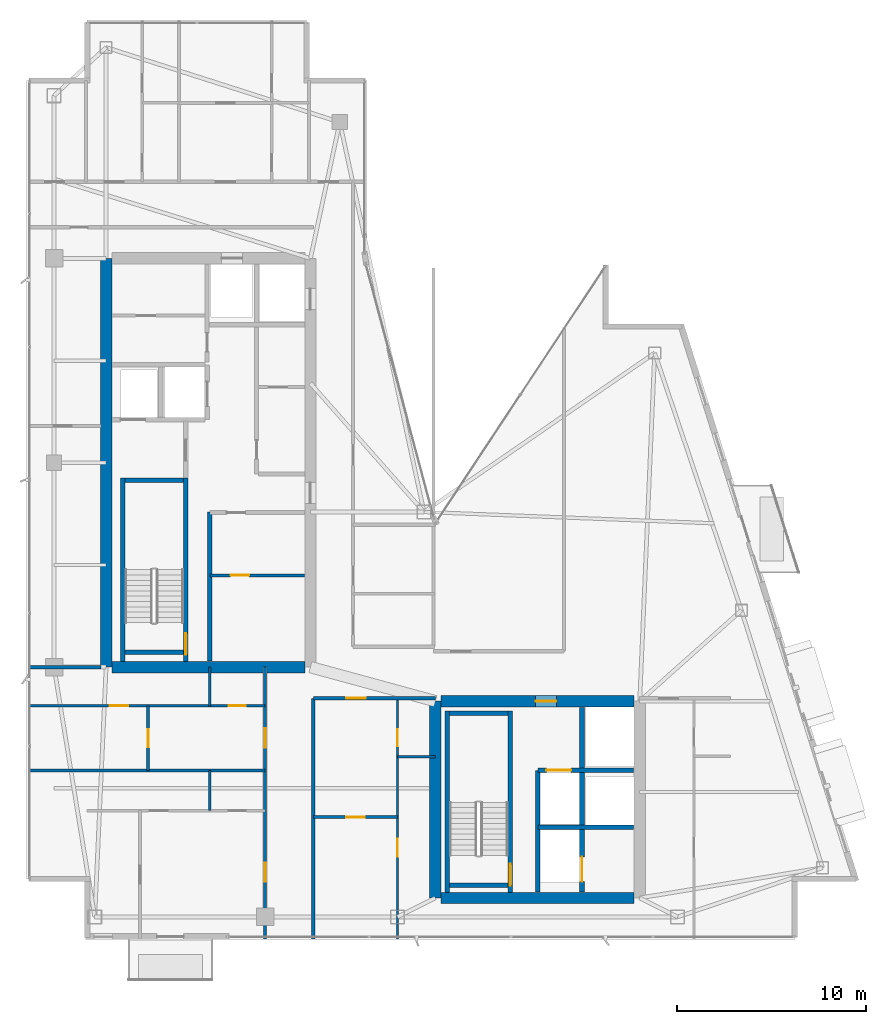
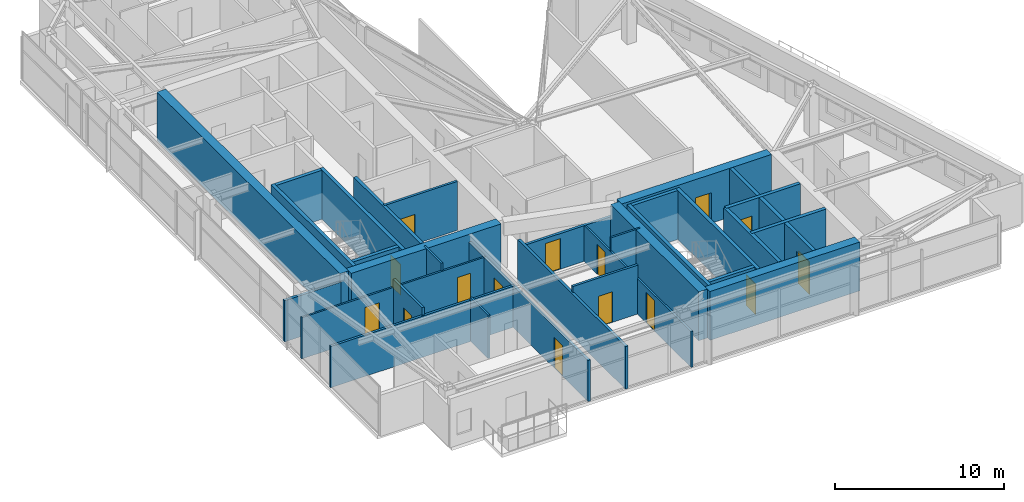
# One storey, part 22 of 27: 31 walls, 15 doors, 15 openings.
"""IFC4 building model written with IfcOpenShell, lengths in metres."""

from ifc_helpers import new_model, si_unit, direction, frame, frame_2d, origin, place, context, subcontext, project, spatial, rectangle, extrude, material, layer, layer_set, type_object, element, fill, save


model = new_model("IFC4")

# Units and contexts
model_context = context("Model", 3, precision=1e-05, world=origin(), true_north=direction((0.0, 1.0)))
body_context = subcontext(model_context, "Body", "Model", "MODEL_VIEW")
ifc_project = project(units=[si_unit("LENGTHUNIT", "METRE"), si_unit("AREAUNIT", "SQUARE_METRE"), si_unit("VOLUMEUNIT", "CUBIC_METRE"), si_unit("PLANEANGLEUNIT", "RADIAN"), si_unit("MASSUNIT", "GRAM", prefix="KILO")], contexts=[model_context])

# Site, building, storey
site_placement = place(None, origin())
site = spatial("IfcSite", under=ifc_project, at=site_placement, CompositionType="ELEMENT")
building_placement = place(site_placement, origin())
building = spatial("IfcBuilding", under=site, at=building_placement, Name="Calvorn Quay Hotel", CompositionType="ELEMENT")
storey_placement = place(building_placement, frame((0.0, 0.0, 278.699951171875)))
storey = spatial("IfcBuildingStorey", under=building, at=storey_placement, Name="L69", CompositionType="ELEMENT", Elevation=278.699951171875)

# Walls
ifc_material_1 = material(Name="Concrete C45", Category="concrete")
ifc_layer_1 = layer(ifc_material_1, 0.60009765625)
ifc_layer_set_1 = layer_set([ifc_layer_1], Name="WL-CORE-600")
wall_type_1 = type_object("IfcWallType", Name="WL-CORE-600", PredefinedType="SHEAR", material=ifc_layer_set_1)
wall_1_placement = place(storey_placement, frame((4.199951171875, 16.800048828125, 0.0), z_axis=(0.0, 0.0, 1.0), x_axis=(0.0, 1.0, 0.0)))
element("IfcWall", 1, at=wall_1_placement, inside=storey, type_object=wall_type_1, Name="West Core Shear Wall W (L69)", PredefinedType="SHEAR", context=body_context, shape_type="SweptSolid", body=[
    extrude(rectangle(XDim=21.599853515625, YDim=0.60009765625, at=frame_2d((10.7998046875, 0.0))), origin(), (0.0, 0.0, 1.0), 3.52001953125),
])
wall_2_placement = place(storey_placement, frame((4.5, 16.800048828125, 0.0), z_axis=(0.0, 0.0, 1.0), x_axis=(1.0, 0.0, 0.0)))
element("IfcWall", 2, at=wall_2_placement, inside=storey, type_object=wall_type_1, Name="West Core Shear Wall S (L69)", PredefinedType="SHEAR", context=body_context, shape_type="SweptSolid", body=[
    extrude(rectangle(XDim=10.199951171875, YDim=0.60009765625, at=frame_2d((5.10009765625, 0.0))), origin(), (0.0, 0.0, 1.0), 3.52001953125),
])
wall_3_placement = place(storey_placement, frame((21.60009765625, 4.60009765625, 0.0), z_axis=(0.0, 0.0, 1.0), x_axis=(0.0, 1.0, 0.0)))
element("IfcWall", 3, at=wall_3_placement, inside=storey, type_object=wall_type_1, Name="East Core Shear Wall W (L69)", PredefinedType="SHEAR", context=body_context, shape_type="SweptSolid", body=[
    extrude(rectangle(XDim=10.39990234375, YDim=0.60009765625, at=frame_2d((5.199951171875, 0.0))), origin(), (0.0, 0.0, 1.0), 3.52001953125),
])

# Wall, opening, door
wall_4_placement = place(storey_placement, frame((21.89990234375, 15.0, 0.0), z_axis=(0.0, 0.0, 1.0), x_axis=(1.0, 0.0, 0.0)))
wall_4 = element("IfcWall", 4, at=wall_4_placement, inside=storey, type_object=wall_type_1, Name="East Core Shear Wall N (L69)", PredefinedType="SHEAR", context=body_context, shape_type="SweptSolid", body=[
    extrude(rectangle(XDim=10.2001953125, YDim=0.60009765625, at=frame_2d((5.10009765625, 0.0))), origin(), (0.0, 0.0, 1.0), 3.52001953125),
])
opening_1_placement = place(wall_4_placement, frame((5.0, 0.0, 0.0)))
opening_1 = element("IfcOpeningElement", 5, at=opening_1_placement, cuts=wall_4, Name="Opening D-L69-FLE", PredefinedType="OPENING", context=body_context, shape_type="SweptSolid", body=[
    extrude(rectangle(XDim=1.10009765625, YDim=2.199951171875, at=frame_2d((0.550048828125, 1.10009765625))), frame((0.0, 0.31005859375, 0.0), z_axis=(0.0, -1.0, 0.0), x_axis=(1.0, 0.0, 0.0)), (0.0, 0.0, 1.0), 0.6201171875),
])
ifc_material_2 = material(Name="Smoke-Sealed Steel Class A Fire Door", Category="steel")
door_type_1 = type_object("IfcDoorType", Name="DR-FFLOBBY-1100", OperationType="NOTDEFINED", PredefinedType="DOOR", material=ifc_material_2)
door_1_placement = place(opening_1_placement, origin())
door_1 = element("IfcDoor", 6, at=door_1_placement, inside=storey, type_object=door_type_1, Name="East Firefighting Lobby Fire Door (L69)", OperationType="SINGLE_SWING_LEFT", OverallHeight=2.199951171875, OverallWidth=1.10009765625, PredefinedType="DOOR", context=body_context, shape_type="SweptSolid", body=[
    extrude(rectangle(XDim=1.10009765625, YDim=2.199951171875, at=frame_2d((0.550048828125, 1.10009765625))), frame((0.0, 0.02490234375, 0.0), z_axis=(0.0, -1.0, 0.0), x_axis=(1.0, 0.0, 0.0)), (0.0, 0.0, 1.0), 0.050048828125),
])
fill(opening_1, door_1)

# Walls
wall_5_placement = place(storey_placement, frame((21.89990234375, 4.60009765625, 0.0), z_axis=(0.0, 0.0, 1.0), x_axis=(1.0, 0.0, 0.0)))
element("IfcWall", 7, at=wall_5_placement, inside=storey, type_object=wall_type_1, Name="East Core Shear Wall S (L69)", PredefinedType="SHEAR", context=body_context, shape_type="SweptSolid", body=[
    extrude(rectangle(XDim=10.2001953125, YDim=0.60009765625, at=frame_2d((5.10009765625, 0.0))), origin(), (0.0, 0.0, 1.0), 3.52001953125),
])
ifc_material_3 = material(Name="Acoustic Fireboard Steel-Stud Partition", Category="steel")
ifc_layer_2 = layer(ifc_material_3, 0.179931640625)
ifc_layer_set_2 = layer_set([ifc_layer_2], Name="WL-CORR-FIRE-180")
wall_type_2 = type_object("IfcWallType", Name="WL-CORR-FIRE-180", PredefinedType="PARTITIONING", material=ifc_layer_set_2)
wall_6_placement = place(storey_placement, frame((0.080078125, 16.800048828125, 0.0), z_axis=(0.0, 0.0, 1.0), x_axis=(1.0, 0.0, 0.0)))
element("IfcWall", 8, at=wall_6_placement, inside=storey, type_object=wall_type_2, Name="Partition Wall L69-WL-WBAY-S-WALL", PredefinedType="PARTITIONING", context=body_context, shape_type="SweptSolid", body=[
    extrude(rectangle(XDim=3.849853515625, YDim=0.179931640625, at=frame_2d((1.9248046875, 0.0))), origin(), (0.0, 0.0, 1.0), 2.969970703125),
])

# Wall, openings, doors
wall_7_placement = place(storey_placement, frame((12.60009765625, 2.43994140625, 0.0), z_axis=(0.0, 0.0, 1.0), x_axis=(0.0, 1.0, 0.0)))
wall_7 = element("IfcWall", 9, at=wall_7_placement, inside=storey, type_object=wall_type_2, Name="Partition Wall L69-WL-CORR-SW-LEG-W", PredefinedType="PARTITIONING", context=body_context, shape_type="SweptSolid", body=[
    extrude(rectangle(XDim=14.360107421875, YDim=0.179931640625, at=frame_2d((7.18017578125, 0.0))), origin(), (0.0, 0.0, 1.0), 2.969970703125),
])
opening_2_placement = place(wall_7_placement, frame((3.010009765625, 0.0, 0.0)))
opening_2 = element("IfcOpeningElement", 10, at=opening_2_placement, cuts=wall_7, Name="Opening D-L69-U01", PredefinedType="OPENING", context=body_context, shape_type="SweptSolid", body=[
    extrude(rectangle(XDim=1.02001953125, YDim=2.199951171875, at=frame_2d((0.510009765625, 1.10009765625))), frame((0.0, 0.099853515625, 0.0), z_axis=(0.0, -1.0, 0.0), x_axis=(1.0, 0.0, 0.0)), (0.0, 0.0, 1.0), 0.199951171875),
])
opening_3_placement = place(wall_7_placement, frame((10.10009765625, 0.0, 0.0)))
opening_3 = element("IfcOpeningElement", 11, at=opening_3_placement, cuts=wall_7, Name="Opening D-L69-U02", PredefinedType="OPENING", context=body_context, shape_type="SweptSolid", body=[
    extrude(rectangle(XDim=1.02001953125, YDim=2.199951171875, at=frame_2d((0.510009765625, 1.10009765625))), frame((0.0, 0.099853515625, 0.0), z_axis=(0.0, -1.0, 0.0), x_axis=(1.0, 0.0, 0.0)), (0.0, 0.0, 1.0), 0.199951171875),
])
ifc_material_4 = material(Name="Solid-Core Walnut Veneer Hotel Fire Door")
door_type_2 = type_object("IfcDoorType", Name="DR-GUEST-ENTRY-1020", OperationType="NOTDEFINED", PredefinedType="DOOR", material=ifc_material_4)
door_2_placement = place(opening_2_placement, origin())
door_2 = element("IfcDoor", 12, at=door_2_placement, inside=storey, type_object=door_type_2, Name="South-West Unit Door U01 (L69)", OperationType="SINGLE_SWING_LEFT", OverallHeight=2.199951171875, OverallWidth=1.02001953125, PredefinedType="DOOR", context=body_context, shape_type="SweptSolid", body=[
    extrude(rectangle(XDim=1.02001953125, YDim=2.199951171875, at=frame_2d((0.510009765625, 1.10009765625))), frame((0.0, 0.02490234375, 0.0), z_axis=(0.0, -1.0, 0.0), x_axis=(1.0, 0.0, 0.0)), (0.0, 0.0, 1.0), 0.050048828125),
])
fill(opening_2, door_2)
door_3_placement = place(opening_3_placement, origin())
door_3 = element("IfcDoor", 13, at=door_3_placement, inside=storey, type_object=door_type_2, Name="South-West Unit Door U02 (L69)", OperationType="SINGLE_SWING_RIGHT", OverallHeight=2.199951171875, OverallWidth=1.02001953125, PredefinedType="DOOR", context=body_context, shape_type="SweptSolid", body=[
    extrude(rectangle(XDim=1.02001953125, YDim=2.199951171875, at=frame_2d((0.510009765625, 1.10009765625))), frame((0.0, 0.02490234375, 0.0), z_axis=(0.0, -1.0, 0.0), x_axis=(1.0, 0.0, 0.0)), (0.0, 0.0, 1.0), 0.050048828125),
])
fill(opening_3, door_3)

# Wall
wall_8_placement = place(storey_placement, frame((15.14990234375, 2.43994140625, 0.0), z_axis=(0.0, 0.0, 1.0), x_axis=(0.0, 1.0, 0.0)))
element("IfcWall", 14, at=wall_8_placement, inside=storey, type_object=wall_type_2, Name="Partition Wall L69-WL-CORR-SW-W", PredefinedType="PARTITIONING", context=body_context, shape_type="SweptSolid", body=[
    extrude(rectangle(XDim=12.7099609375, YDim=0.179931640625, at=frame_2d((6.35498046875, 0.0))), origin(), (0.0, 0.0, 1.0), 3.070068359375),
])

# Wall, opening, door
wall_9_placement = place(storey_placement, frame((15.14990234375, 15.14990234375, 0.0), z_axis=(0.0, 0.0, 1.0), x_axis=(1.0, 0.0, 0.0)))
wall_9 = element("IfcWall", 15, at=wall_9_placement, inside=storey, type_object=wall_type_2, Name="Partition Wall L69-WL-SC-CORR-S", PredefinedType="PARTITIONING", context=body_context, shape_type="SweptSolid", body=[
    extrude(rectangle(XDim=6.4501953125, YDim=0.179931640625, at=frame_2d((3.22509765625, 0.0))), origin(), (0.0, 0.0, 1.0), 2.570068359375),
])
opening_4_placement = place(wall_9_placement, frame((1.739990234375, 0.0, 0.0)))
opening_4 = element("IfcOpeningElement", 16, at=opening_4_placement, cuts=wall_9, Name="Opening D-L69-U03", PredefinedType="OPENING", context=body_context, shape_type="SweptSolid", body=[
    extrude(rectangle(XDim=1.02001953125, YDim=2.199951171875, at=frame_2d((0.510009765625, 1.10009765625))), frame((0.0, 0.099853515625, 0.0), z_axis=(0.0, -1.0, 0.0), x_axis=(1.0, 0.0, 0.0)), (0.0, 0.0, 1.0), 0.199951171875),
])
door_4_placement = place(opening_4_placement, origin())
door_4 = element("IfcDoor", 17, at=door_4_placement, inside=storey, type_object=door_type_2, Name="Harbour Central Unit Door (L69)", OperationType="SINGLE_SWING_LEFT", OverallHeight=2.199951171875, OverallWidth=1.02001953125, PredefinedType="DOOR", context=body_context, shape_type="SweptSolid", body=[
    extrude(rectangle(XDim=1.02001953125, YDim=2.199951171875, at=frame_2d((0.510009765625, 1.10009765625))), frame((0.0, 0.02490234375, 0.0), z_axis=(0.0, -1.0, 0.0), x_axis=(1.0, 0.0, 0.0)), (0.0, 0.0, 1.0), 0.050048828125),
])
fill(opening_4, door_4)

# Walls
ifc_material_5 = material(Name="Moisture-Resistant Tile-Backed Partition")
ifc_layer_3 = layer(ifc_material_5, 0.125)
ifc_layer_set_3 = layer_set([ifc_layer_3], Name="WL-ENSUITE-125")
wall_type_3 = type_object("IfcWallType", Name="WL-ENSUITE-125", PredefinedType="PARTITIONING", material=ifc_layer_set_3)
wall_10_placement = place(storey_placement, frame((9.679931640625, 9.219970703125, 0.0), z_axis=(0.0, 0.0, 1.0), x_axis=(0.0, 1.0, 0.0)))
element("IfcWall", 18, at=wall_10_placement, inside=storey, type_object=wall_type_3, Name="Partition Wall L69-WL-U01-BDV", PredefinedType="PARTITIONING", context=body_context, shape_type="SweptSolid", body=[
    extrude(rectangle(XDim=2.130126953125, YDim=0.125, at=frame_2d((1.06494140625, 0.0))), origin(), (0.0, 0.0, 1.0), 3.1201171875),
])
wall_11_placement = place(storey_placement, frame((9.679931640625, 14.75, 0.0), z_axis=(0.0, 0.0, 1.0), x_axis=(0.0, 1.0, 0.0)))
element("IfcWall", 19, at=wall_11_placement, inside=storey, type_object=wall_type_3, Name="Partition Wall L69-WL-U02-BDV", PredefinedType="PARTITIONING", context=body_context, shape_type="SweptSolid", body=[
    extrude(rectangle(XDim=2.050048828125, YDim=0.125, at=frame_2d((1.02490234375, 0.0))), origin(), (0.0, 0.0, 1.0), 3.52001953125),
])

# Wall, openings, doors
wall_12_placement = place(storey_placement, frame((0.080078125, 14.75, 0.0), z_axis=(0.0, 0.0, 1.0), x_axis=(1.0, 0.0, 0.0)))
wall_12 = element("IfcWall", 20, at=wall_12_placement, inside=storey, type_object=wall_type_3, Name="Partition Wall L69-WL-U02-BH", PredefinedType="PARTITIONING", context=body_context, shape_type="SweptSolid", body=[
    extrude(rectangle(XDim=12.52001953125, YDim=0.125, at=frame_2d((6.260009765625, 0.0))), origin(), (0.0, 0.0, 1.0), 2.969970703125),
])
opening_5_placement = place(wall_12_placement, frame((4.320068359375, 0.0, 0.0)))
opening_5 = element("IfcOpeningElement", 21, at=opening_5_placement, cuts=wall_12, Name="Opening D-L69-S02", PredefinedType="OPENING", context=body_context, shape_type="SweptSolid", body=[
    extrude(rectangle(XDim=0.9599609375, YDim=2.199951171875, at=frame_2d((0.47998046875, 1.10009765625))), frame((0.0, 0.072509765625, 0.0), z_axis=(0.0, -1.0, 0.0), x_axis=(1.0, 0.0, 0.0)), (0.0, 0.0, 1.0), 0.14501953125),
])
opening_6_placement = place(wall_12_placement, frame((10.610107421875, 0.0, 0.0)))
opening_6 = element("IfcOpeningElement", 22, at=opening_6_placement, cuts=wall_12, Name="Opening D-L69-E02", PredefinedType="OPENING", context=body_context, shape_type="SweptSolid", body=[
    extrude(rectangle(XDim=0.89990234375, YDim=2.14990234375, at=frame_2d((0.449951171875, 1.074951171875))), frame((0.0, 0.072509765625, 0.0), z_axis=(0.0, -1.0, 0.0), x_axis=(1.0, 0.0, 0.0)), (0.0, 0.0, 1.0), 0.14501953125),
])
ifc_material_6 = material(Name="Moisture-Sealed Timber En-Suite Door", Category="wood")
door_type_3 = type_object("IfcDoorType", Name="DR-ENSUITE-900", OperationType="NOTDEFINED", PredefinedType="DOOR", material=ifc_material_6)
door_5_placement = place(opening_6_placement, origin())
door_5 = element("IfcDoor", 23, at=door_5_placement, inside=storey, type_object=door_type_3, Name="En-Suite Door 02", OperationType="SINGLE_SWING_RIGHT", OverallHeight=2.14990234375, OverallWidth=0.89990234375, PredefinedType="DOOR", context=body_context, shape_type="SweptSolid", body=[
    extrude(rectangle(XDim=0.89990234375, YDim=2.14990234375, at=frame_2d((0.449951171875, 1.074951171875))), frame((0.0, 0.02490234375, 0.0), z_axis=(0.0, -1.0, 0.0), x_axis=(1.0, 0.0, 0.0)), (0.0, 0.0, 1.0), 0.050048828125),
])
fill(opening_6, door_5)
ifc_material_7 = material(Name="Solid Timber Internal Suite Door", Category="wood")
door_type_4 = type_object("IfcDoorType", Name="DR-SUITE-INT-960", OperationType="NOTDEFINED", PredefinedType="DOOR", material=ifc_material_7)
door_6_placement = place(opening_5_placement, origin())
door_6 = element("IfcDoor", 24, at=door_6_placement, inside=storey, type_object=door_type_4, Name="Harbour Tea Room Door 02", OperationType="SINGLE_SWING_LEFT", OverallHeight=2.199951171875, OverallWidth=0.9599609375, PredefinedType="DOOR", context=body_context, shape_type="SweptSolid", body=[
    extrude(rectangle(XDim=0.9599609375, YDim=2.199951171875, at=frame_2d((0.47998046875, 1.10009765625))), frame((0.0, 0.02490234375, 0.0), z_axis=(0.0, -1.0, 0.0), x_axis=(1.0, 0.0, 0.0)), (0.0, 0.0, 1.0), 0.050048828125),
])
fill(opening_5, door_6)

# Wall
wall_13_placement = place(storey_placement, frame((19.60009765625, 12.070068359375, 0.0), z_axis=(0.0, 0.0, 1.0), x_axis=(1.0, 0.0, 0.0)))
element("IfcWall", 25, at=wall_13_placement, inside=storey, type_object=wall_type_3, Name="Partition Wall L69-WL-U03-BDV", PredefinedType="PARTITIONING", context=body_context, shape_type="SweptSolid", body=[
    extrude(rectangle(XDim=2.0, YDim=0.125, at=frame_2d((1.0, 0.0))), origin(), (0.0, 0.0, 1.0), 3.52001953125),
])

# Wall, openings, doors
wall_14_placement = place(storey_placement, frame((19.60009765625, 2.43994140625, 0.0), z_axis=(0.0, 0.0, 1.0), x_axis=(0.0, 1.0, 0.0)))
wall_14 = element("IfcWall", 26, at=wall_14_placement, inside=storey, type_object=wall_type_3, Name="Partition Wall L69-WL-U03-BV", PredefinedType="PARTITIONING", context=body_context, shape_type="SweptSolid", body=[
    extrude(rectangle(XDim=12.7099609375, YDim=0.125, at=frame_2d((6.35498046875, 0.0))), origin(), (0.0, 0.0, 1.0), 2.570068359375),
])
opening_7_placement = place(wall_14_placement, frame((4.340087890625, 0.0, 0.0)))
opening_7 = element("IfcOpeningElement", 27, at=opening_7_placement, cuts=wall_14, Name="Opening D-L69-S03", PredefinedType="OPENING", context=body_context, shape_type="SweptSolid", body=[
    extrude(rectangle(XDim=0.9599609375, YDim=2.199951171875, at=frame_2d((0.47998046875, 1.10009765625))), frame((0.0, 0.072509765625, 0.0), z_axis=(0.0, -1.0, 0.0), x_axis=(1.0, 0.0, 0.0)), (0.0, 0.0, 1.0), 0.14501953125),
])
opening_8_placement = place(wall_14_placement, frame((10.179931640625, 0.0, 0.0)))
opening_8 = element("IfcOpeningElement", 28, at=opening_8_placement, cuts=wall_14, Name="Opening D-L69-E03", PredefinedType="OPENING", context=body_context, shape_type="SweptSolid", body=[
    extrude(rectangle(XDim=0.89990234375, YDim=2.14990234375, at=frame_2d((0.449951171875, 1.074951171875))), frame((0.0, 0.072509765625, 0.0), z_axis=(0.0, -1.0, 0.0), x_axis=(1.0, 0.0, 0.0)), (0.0, 0.0, 1.0), 0.14501953125),
])
door_7_placement = place(opening_8_placement, origin())
door_7 = element("IfcDoor", 29, at=door_7_placement, inside=storey, type_object=door_type_3, Name="En-Suite Door 03", OperationType="SINGLE_SWING_RIGHT", OverallHeight=2.14990234375, OverallWidth=0.89990234375, PredefinedType="DOOR", context=body_context, shape_type="SweptSolid", body=[
    extrude(rectangle(XDim=0.89990234375, YDim=2.14990234375, at=frame_2d((0.449951171875, 1.074951171875))), frame((0.0, 0.02490234375, 0.0), z_axis=(0.0, -1.0, 0.0), x_axis=(1.0, 0.0, 0.0)), (0.0, 0.0, 1.0), 0.050048828125),
])
fill(opening_8, door_7)
door_8_placement = place(opening_7_placement, origin())
door_8 = element("IfcDoor", 30, at=door_8_placement, inside=storey, type_object=door_type_4, Name="Harbour Tea Room Door 03", OperationType="SINGLE_SWING_LEFT", OverallHeight=2.199951171875, OverallWidth=0.9599609375, PredefinedType="DOOR", context=body_context, shape_type="SweptSolid", body=[
    extrude(rectangle(XDim=0.9599609375, YDim=2.199951171875, at=frame_2d((0.47998046875, 1.10009765625))), frame((0.0, 0.02490234375, 0.0), z_axis=(0.0, -1.0, 0.0), x_axis=(1.0, 0.0, 0.0)), (0.0, 0.0, 1.0), 0.050048828125),
])
fill(opening_7, door_8)

# Wall, opening, door
ifc_material_8 = material(Name="Double-Stud Acoustic Gypsum Partition")
ifc_layer_4 = layer(ifc_material_8, 0.159912109375)
ifc_layer_set_4 = layer_set([ifc_layer_4], Name="WL-INTERSUITE-160")
wall_type_4 = type_object("IfcWallType", Name="WL-INTERSUITE-160", PredefinedType="PARTITIONING", material=ifc_layer_set_4)
wall_15_placement = place(storey_placement, frame((9.679931640625, 21.64990234375, 0.0), z_axis=(0.0, 0.0, 1.0), x_axis=(1.0, 0.0, 0.0)))
wall_15 = element("IfcWall", 31, at=wall_15_placement, inside=storey, type_object=wall_type_4, Name="Partition Wall L69-WL-CWW-FR-SPLIT", PredefinedType="PARTITIONING", context=body_context, shape_type="SweptSolid", body=[
    extrude(rectangle(XDim=5.0, YDim=0.159912109375, at=frame_2d((2.5, 0.0))), origin(), (0.0, 0.0, 1.0), 3.52001953125),
])
opening_9_placement = place(wall_15_placement, frame((1.10009765625, 0.0, 0.0)))
opening_9 = element("IfcOpeningElement", 32, at=opening_9_placement, cuts=wall_15, Name="Opening D-L69-FRL1", PredefinedType="OPENING", context=body_context, shape_type="SweptSolid", body=[
    extrude(rectangle(XDim=0.97998046875, YDim=2.14990234375, at=frame_2d((0.489990234375, 1.074951171875))), frame((0.0, 0.08984375, 0.0), z_axis=(0.0, -1.0, 0.0), x_axis=(1.0, 0.0, 0.0)), (0.0, 0.0, 1.0), 0.179931640625),
])
ifc_material_9 = material(Name="Painted Steel Housekeeping/Riser Fire Door", Category="steel")
door_type_5 = type_object("IfcDoorType", Name="DR-SERVICE-980", OperationType="NOTDEFINED", PredefinedType="DOOR", material=ifc_material_9)
door_9_placement = place(opening_9_placement, origin())
door_9 = element("IfcDoor", 33, at=door_9_placement, inside=storey, type_object=door_type_5, Name="Linen Store Room Door (L69)", OperationType="SINGLE_SWING_LEFT", OverallHeight=2.14990234375, OverallWidth=0.97998046875, PredefinedType="DOOR", context=body_context, shape_type="SweptSolid", body=[
    extrude(rectangle(XDim=0.97998046875, YDim=2.14990234375, at=frame_2d((0.489990234375, 1.074951171875))), frame((0.0, 0.02490234375, 0.0), z_axis=(0.0, -1.0, 0.0), x_axis=(1.0, 0.0, 0.0)), (0.0, 0.0, 1.0), 0.050048828125),
])
fill(opening_9, door_9)

wall_16_placement = place(storey_placement, frame((6.419921875, 11.35009765625, 0.0), z_axis=(0.0, 0.0, 1.0), x_axis=(0.0, 1.0, 0.0)))
wall_16 = element("IfcWall", 34, at=wall_16_placement, inside=storey, type_object=wall_type_4, Name="Partition Wall L69-WL-U02-MSP", PredefinedType="PARTITIONING", context=body_context, shape_type="SweptSolid", body=[
    extrude(rectangle(XDim=3.39990234375, YDim=0.159912109375, at=frame_2d((1.699951171875, 0.0))), origin(), (0.0, 0.0, 1.0), 3.52001953125),
])
opening_10_placement = place(wall_16_placement, frame((1.219970703125, 0.0, 0.0)))
opening_10 = element("IfcOpeningElement", 35, at=opening_10_placement, cuts=wall_16, Name="Opening D-L69-M02", PredefinedType="OPENING", context=body_context, shape_type="SweptSolid", body=[
    extrude(rectangle(XDim=0.9599609375, YDim=2.199951171875, at=frame_2d((0.47998046875, 1.10009765625))), frame((0.0, 0.08984375, 0.0), z_axis=(0.0, -1.0, 0.0), x_axis=(1.0, 0.0, 0.0)), (0.0, 0.0, 1.0), 0.179931640625),
])
door_10_placement = place(opening_10_placement, origin())
door_10 = element("IfcDoor", 36, at=door_10_placement, inside=storey, type_object=door_type_4, Name="Suite Bedroom Door 02", OperationType="SINGLE_SWING_LEFT", OverallHeight=2.199951171875, OverallWidth=0.9599609375, PredefinedType="DOOR", context=body_context, shape_type="SweptSolid", body=[
    extrude(rectangle(XDim=0.9599609375, YDim=2.199951171875, at=frame_2d((0.47998046875, 1.10009765625))), frame((0.0, 0.02490234375, 0.0), z_axis=(0.0, -1.0, 0.0), x_axis=(1.0, 0.0, 0.0)), (0.0, 0.0, 1.0), 0.050048828125),
])
fill(opening_10, door_10)

# Wall
wall_17_placement = place(storey_placement, frame((0.080078125, 11.35009765625, 0.0), z_axis=(0.0, 0.0, 1.0), x_axis=(1.0, 0.0, 0.0)))
element("IfcWall", 37, at=wall_17_placement, inside=storey, type_object=wall_type_4, Name="Partition Wall L69-WL-SW-DIV-1", PredefinedType="PARTITIONING", context=body_context, shape_type="SweptSolid", body=[
    extrude(rectangle(XDim=12.52001953125, YDim=0.159912109375, at=frame_2d((6.260009765625, 0.0))), origin(), (0.0, 0.0, 1.0), 2.969970703125),
])

# Wall, opening, door
wall_18_placement = place(storey_placement, frame((15.14990234375, 8.8701171875, 0.0), z_axis=(0.0, 0.0, 1.0), x_axis=(1.0, 0.0, 0.0)))
wall_18 = element("IfcWall", 38, at=wall_18_placement, inside=storey, type_object=wall_type_4, Name="Partition Wall L69-WL-U03-MSP", PredefinedType="PARTITIONING", context=body_context, shape_type="SweptSolid", body=[
    extrude(rectangle(XDim=4.4501953125, YDim=0.159912109375, at=frame_2d((2.22509765625, 0.0))), origin(), (0.0, 0.0, 1.0), 3.52001953125),
])
opening_11_placement = place(wall_18_placement, frame((1.75, 0.0, 0.0)))
opening_11 = element("IfcOpeningElement", 39, at=opening_11_placement, cuts=wall_18, Name="Opening D-L69-M03", PredefinedType="OPENING", context=body_context, shape_type="SweptSolid", body=[
    extrude(rectangle(XDim=0.9599609375, YDim=2.199951171875, at=frame_2d((0.47998046875, 1.10009765625))), frame((0.0, 0.08984375, 0.0), z_axis=(0.0, -1.0, 0.0), x_axis=(1.0, 0.0, 0.0)), (0.0, 0.0, 1.0), 0.179931640625),
])
door_11_placement = place(opening_11_placement, origin())
door_11 = element("IfcDoor", 40, at=door_11_placement, inside=storey, type_object=door_type_4, Name="Suite Bedroom Door 03", OperationType="SINGLE_SWING_LEFT", OverallHeight=2.199951171875, OverallWidth=0.9599609375, PredefinedType="DOOR", context=body_context, shape_type="SweptSolid", body=[
    extrude(rectangle(XDim=0.9599609375, YDim=2.199951171875, at=frame_2d((0.47998046875, 1.10009765625))), frame((0.0, 0.02490234375, 0.0), z_axis=(0.0, -1.0, 0.0), x_axis=(1.0, 0.0, 0.0)), (0.0, 0.0, 1.0), 0.050048828125),
])
fill(opening_11, door_11)

# Walls
ifc_material_10 = material(Name="Autoclaved Aerated Masonry Block", Category="masonry")
ifc_layer_5 = layer(ifc_material_10, 0.219970703125)
ifc_layer_set_5 = layer_set([ifc_layer_5], Name="WL-LOBBY-FIRE-220")
wall_type_5 = type_object("IfcWallType", Name="WL-LOBBY-FIRE-220", PredefinedType="SOLIDWALL", material=ifc_layer_set_5)
wall_19_placement = place(storey_placement, frame((9.679931640625, 17.1201171875, 0.0), z_axis=(0.0, 0.0, 1.0), x_axis=(0.0, 1.0, 0.0)))
element("IfcWall", 41, at=wall_19_placement, inside=storey, type_object=wall_type_5, Name="Partition Wall L69-WL-CWW-STW-HALL-E", PredefinedType="SOLIDWALL", context=body_context, shape_type="SweptSolid", body=[
    extrude(rectangle(XDim=7.8798828125, YDim=0.219970703125, at=frame_2d((3.93994140625, 0.0))), origin(), (0.0, 0.0, 1.0), 3.52001953125),
])
ifc_material_11 = material(Name="Concrete C40", Category="concrete")
ifc_layer_6 = layer(ifc_material_11, 0.239990234375)
ifc_layer_set_6 = layer_set([ifc_layer_6], Name="WL-SHAFT-240")
wall_type_6 = type_object("IfcWallType", Name="WL-SHAFT-240", PredefinedType="SOLIDWALL", material=ifc_layer_set_6)
wall_20_placement = place(storey_placement, frame((5.080078125, 17.10009765625, 0.0), z_axis=(0.0, 0.0, 1.0), x_axis=(0.0, 1.0, 0.0)))
element("IfcWall", 42, at=wall_20_placement, inside=storey, type_object=wall_type_6, Name="Stair STW Shaft Wall W (L69)", PredefinedType="SOLIDWALL", context=body_context, shape_type="SweptSolid", body=[
    extrude(rectangle(XDim=9.68994140625, YDim=0.239990234375, at=frame_2d((4.844970703125, 0.0))), origin(), (0.0, 0.0, 1.0), 3.52001953125),
])

# Wall, opening, door
wall_21_placement = place(storey_placement, frame((8.419921875, 17.10009765625, 0.0), z_axis=(0.0, 0.0, 1.0), x_axis=(0.0, 1.0, 0.0)))
wall_21 = element("IfcWall", 43, at=wall_21_placement, inside=storey, type_object=wall_type_6, Name="Stair STW Shaft Wall E (L69)", PredefinedType="SOLIDWALL", context=body_context, shape_type="SweptSolid", body=[
    extrude(rectangle(XDim=9.68994140625, YDim=0.239990234375, at=frame_2d((4.844970703125, 0.0))), origin(), (0.0, 0.0, 1.0), 3.52001953125),
])
opening_12_placement = place(wall_21_placement, frame((0.35009765625, 0.0, 0.0)))
opening_12 = element("IfcOpeningElement", 44, at=opening_12_placement, cuts=wall_21, Name="Opening D-L69-STW", PredefinedType="OPENING", context=body_context, shape_type="SweptSolid", body=[
    extrude(rectangle(XDim=1.14990234375, YDim=2.199951171875, at=frame_2d((0.574951171875, 1.10009765625))), frame((0.0, 0.1298828125, 0.0), z_axis=(0.0, -1.0, 0.0), x_axis=(1.0, 0.0, 0.0)), (0.0, 0.0, 1.0), 0.260009765625),
])
ifc_material_12 = material(Name="Galvanised Steel Class A Fire Door", Category="steel")
door_type_6 = type_object("IfcDoorType", Name="DR-STAIR-SMOKE-1150", OperationType="NOTDEFINED", PredefinedType="DOOR", material=ifc_material_12)
door_12_placement = place(opening_12_placement, origin())
door_12 = element("IfcDoor", 45, at=door_12_placement, inside=storey, type_object=door_type_6, Name="Stair ST-W Fire Door (L69)", OperationType="SINGLE_SWING_LEFT", OverallHeight=2.199951171875, OverallWidth=1.14990234375, PredefinedType="DOOR", context=body_context, shape_type="SweptSolid", body=[
    extrude(rectangle(XDim=1.14990234375, YDim=2.199951171875, at=frame_2d((0.574951171875, 1.10009765625))), frame((0.0, 0.02490234375, 0.0), z_axis=(0.0, -1.0, 0.0), x_axis=(1.0, 0.0, 0.0)), (0.0, 0.0, 1.0), 0.050048828125),
])
fill(opening_12, door_12)

# Walls
for number, where, z_axis, x_axis, name in (
    (46, (5.199951171875, 17.580078125, 0.0), (0.0, 0.0, 1.0), (1.0, 0.0, 0.0), "Stair STW Shaft Wall S (L69)"),
    (47, (5.199951171875, 26.669921875, 0.0), (0.0, 0.0, 1.0), (1.0, 0.0, 0.0), "Stair STW Shaft Wall N (L69)"),
):
    element("IfcWall", number, at=place(storey_placement, frame(where, z_axis=z_axis, x_axis=x_axis)), inside=storey, type_object=wall_type_6, Name=name, PredefinedType="SOLIDWALL", context=body_context, shape_type="SweptSolid", body=[
        extrude(rectangle(XDim=3.10009765625, YDim=0.239990234375, at=frame_2d((1.550048828125, 0.0))), origin(), (0.0, 0.0, 1.0), 3.52001953125),
    ])
wall_22_placement = place(storey_placement, frame((22.22998046875, 4.89990234375, 0.0), z_axis=(0.0, 0.0, 1.0), x_axis=(0.0, 1.0, 0.0)))
element("IfcWall", 48, at=wall_22_placement, inside=storey, type_object=wall_type_6, Name="Stair STE Shaft Wall W (L69)", PredefinedType="SOLIDWALL", context=body_context, shape_type="SweptSolid", body=[
    extrude(rectangle(XDim=9.590087890625, YDim=0.239990234375, at=frame_2d((4.794921875, 0.0))), origin(), (0.0, 0.0, 1.0), 3.52001953125),
])

# Wall, opening, door
wall_23_placement = place(storey_placement, frame((25.570068359375, 4.89990234375, 0.0), z_axis=(0.0, 0.0, 1.0), x_axis=(0.0, 1.0, 0.0)))
wall_23 = element("IfcWall", 49, at=wall_23_placement, inside=storey, type_object=wall_type_6, Name="Stair STE Shaft Wall E (L69)", PredefinedType="SOLIDWALL", context=body_context, shape_type="SweptSolid", body=[
    extrude(rectangle(XDim=9.590087890625, YDim=0.239990234375, at=frame_2d((4.794921875, 0.0))), origin(), (0.0, 0.0, 1.0), 3.52001953125),
])
opening_13_placement = place(wall_23_placement, frame((0.35009765625, 0.0, 0.0)))
opening_13 = element("IfcOpeningElement", 50, at=opening_13_placement, cuts=wall_23, Name="Opening D-L69-STE", PredefinedType="OPENING", context=body_context, shape_type="SweptSolid", body=[
    extrude(rectangle(XDim=1.14990234375, YDim=2.199951171875, at=frame_2d((0.574951171875, 1.10009765625))), frame((0.0, 0.1298828125, 0.0), z_axis=(0.0, -1.0, 0.0), x_axis=(1.0, 0.0, 0.0)), (0.0, 0.0, 1.0), 0.260009765625),
])
door_13_placement = place(opening_13_placement, origin())
door_13 = element("IfcDoor", 51, at=door_13_placement, inside=storey, type_object=door_type_6, Name="Stair ST-E Fire Door (L69)", OperationType="SINGLE_SWING_RIGHT", OverallHeight=2.199951171875, OverallWidth=1.14990234375, PredefinedType="DOOR", context=body_context, shape_type="SweptSolid", body=[
    extrude(rectangle(XDim=1.14990234375, YDim=2.199951171875, at=frame_2d((0.574951171875, 1.10009765625))), frame((0.0, 0.02490234375, 0.0), z_axis=(0.0, -1.0, 0.0), x_axis=(1.0, 0.0, 0.0)), (0.0, 0.0, 1.0), 0.050048828125),
])
fill(opening_13, door_13)

# Walls
for number, where, z_axis, x_axis, name in (
    (52, (22.35009765625, 5.280029296875, 0.0), (0.0, 0.0, 1.0), (1.0, 0.0, 0.0), "Stair STE Shaft Wall S (L69)"),
    (53, (22.35009765625, 14.3701171875, 0.0), (0.0, 0.0, 1.0), (1.0, 0.0, 0.0), "Stair STE Shaft Wall N (L69)"),
):
    element("IfcWall", number, at=place(storey_placement, frame(where, z_axis=z_axis, x_axis=x_axis)), inside=storey, type_object=wall_type_6, Name=name, PredefinedType="SOLIDWALL", context=body_context, shape_type="SweptSolid", body=[
        extrude(rectangle(XDim=3.099853515625, YDim=0.239990234375, at=frame_2d((1.5498046875, 0.0))), origin(), (0.0, 0.0, 1.0), 3.52001953125),
    ])
wall_24_placement = place(storey_placement, frame((27.02001953125, 4.919921875, 0.0), z_axis=(0.0, 0.0, 1.0), x_axis=(0.0, 1.0, 0.0)))
element("IfcWall", 54, at=wall_24_placement, inside=storey, type_object=wall_type_6, Name="Partition Wall L69-WL-CWE-SH-W", PredefinedType="SOLIDWALL", context=body_context, shape_type="SweptSolid", body=[
    extrude(rectangle(XDim=6.43017578125, YDim=0.239990234375, at=frame_2d((3.215087890625, 0.0))), origin(), (0.0, 0.0, 1.0), 3.52001953125),
])

# Wall, opening, door
wall_25_placement = place(storey_placement, frame((27.02001953125, 11.35009765625, 0.0), z_axis=(0.0, 0.0, 1.0), x_axis=(1.0, 0.0, 0.0)))
wall_25 = element("IfcWall", 55, at=wall_25_placement, inside=storey, type_object=wall_type_6, Name="Partition Wall L69-WL-CWE-FFL-S", PredefinedType="SOLIDWALL", context=body_context, shape_type="SweptSolid", body=[
    extrude(rectangle(XDim=5.06005859375, YDim=0.239990234375, at=frame_2d((2.530029296875, 0.0))), origin(), (0.0, 0.0, 1.0), 3.52001953125),
])
opening_14_placement = place(wall_25_placement, frame((0.449951171875, 0.0, 0.0)))
opening_14 = element("IfcOpeningElement", 56, at=opening_14_placement, cuts=wall_25, Name="Opening LD-L69-FLE1", PredefinedType="OPENING", context=body_context, shape_type="SweptSolid", body=[
    extrude(rectangle(XDim=1.300048828125, YDim=2.35009765625, at=frame_2d((0.64990234375, 1.175048828125))), frame((0.0, 0.1298828125, 0.0), z_axis=(0.0, -1.0, 0.0), x_axis=(1.0, 0.0, 0.0)), (0.0, 0.0, 1.0), 0.260009765625),
])
ifc_material_13 = material(Name="Champagne-Bronze Sliding Express Lift Landing Door")
door_type_7 = type_object("IfcDoorType", Name="DR-LIFT-SHUTTLE-1300", OperationType="NOTDEFINED", PredefinedType="DOOR", material=ifc_material_13)
door_14_placement = place(opening_14_placement, origin())
door_14 = element("IfcDoor", 57, at=door_14_placement, inside=storey, type_object=door_type_7, Name="Firefighting Lift FL-E1 Landing Door (L69)", OperationType="DOUBLE_DOOR_SLIDING", OverallHeight=2.35009765625, OverallWidth=1.300048828125, PredefinedType="DOOR", context=body_context, shape_type="SweptSolid", body=[
    extrude(rectangle(XDim=1.300048828125, YDim=2.35009765625, at=frame_2d((0.64990234375, 1.175048828125))), frame((0.0, 0.02490234375, 0.0), z_axis=(0.0, -1.0, 0.0), x_axis=(1.0, 0.0, 0.0)), (0.0, 0.0, 1.0), 0.050048828125),
])
fill(opening_14, door_14)

# Wall
wall_26_placement = place(storey_placement, frame((27.02001953125, 8.35009765625, 0.0), z_axis=(0.0, 0.0, 1.0), x_axis=(1.0, 0.0, 0.0)))
element("IfcWall", 58, at=wall_26_placement, inside=storey, type_object=wall_type_6, Name="Partition Wall L69-WL-CWE-SL-N", PredefinedType="SOLIDWALL", context=body_context, shape_type="SweptSolid", body=[
    extrude(rectangle(XDim=5.06005859375, YDim=0.239990234375, at=frame_2d((2.530029296875, 0.0))), origin(), (0.0, 0.0, 1.0), 3.52001953125),
])

# Wall, opening, door
wall_27_placement = place(storey_placement, frame((29.35009765625, 4.919921875, 0.0), z_axis=(0.0, 0.0, 1.0), x_axis=(0.0, 1.0, 0.0)))
wall_27 = element("IfcWall", 59, at=wall_27_placement, inside=storey, type_object=wall_type_6, Name="Partition Wall L69-WL-CWE-OB-W", PredefinedType="SOLIDWALL", context=body_context, shape_type="SweptSolid", body=[
    extrude(rectangle(XDim=9.760009765625, YDim=0.239990234375, at=frame_2d((4.8798828125, 0.0))), origin(), (0.0, 0.0, 1.0), 3.52001953125),
])
opening_15_placement = place(wall_27_placement, frame((0.550048828125, 0.0, 0.0)))
opening_15 = element("IfcOpeningElement", 60, at=opening_15_placement, cuts=wall_27, Name="Opening LD-L69-SLEI", PredefinedType="OPENING", context=body_context, shape_type="SweptSolid", body=[
    extrude(rectangle(XDim=1.300048828125, YDim=2.35009765625, at=frame_2d((0.64990234375, 1.175048828125))), frame((0.0, 0.1298828125, 0.0), z_axis=(0.0, -1.0, 0.0), x_axis=(1.0, 0.0, 0.0)), (0.0, 0.0, 1.0), 0.260009765625),
])
door_15_placement = place(opening_15_placement, origin())
door_15 = element("IfcDoor", 61, at=door_15_placement, inside=storey, type_object=door_type_7, Name="Service Lift SL-E1 Landing Door (L69)", OperationType="DOUBLE_DOOR_SLIDING", OverallHeight=2.35009765625, OverallWidth=1.300048828125, PredefinedType="DOOR", context=body_context, shape_type="SweptSolid", body=[
    extrude(rectangle(XDim=1.300048828125, YDim=2.35009765625, at=frame_2d((0.64990234375, 1.175048828125))), frame((0.0, 0.02490234375, 0.0), z_axis=(0.0, -1.0, 0.0), x_axis=(1.0, 0.0, 0.0)), (0.0, 0.0, 1.0), 0.050048828125),
])
fill(opening_15, door_15)

save(model, "model.ifc")
